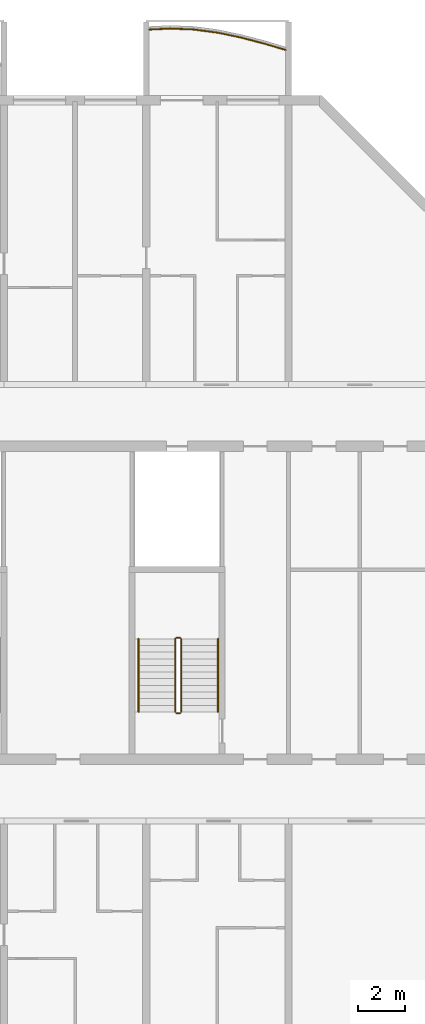
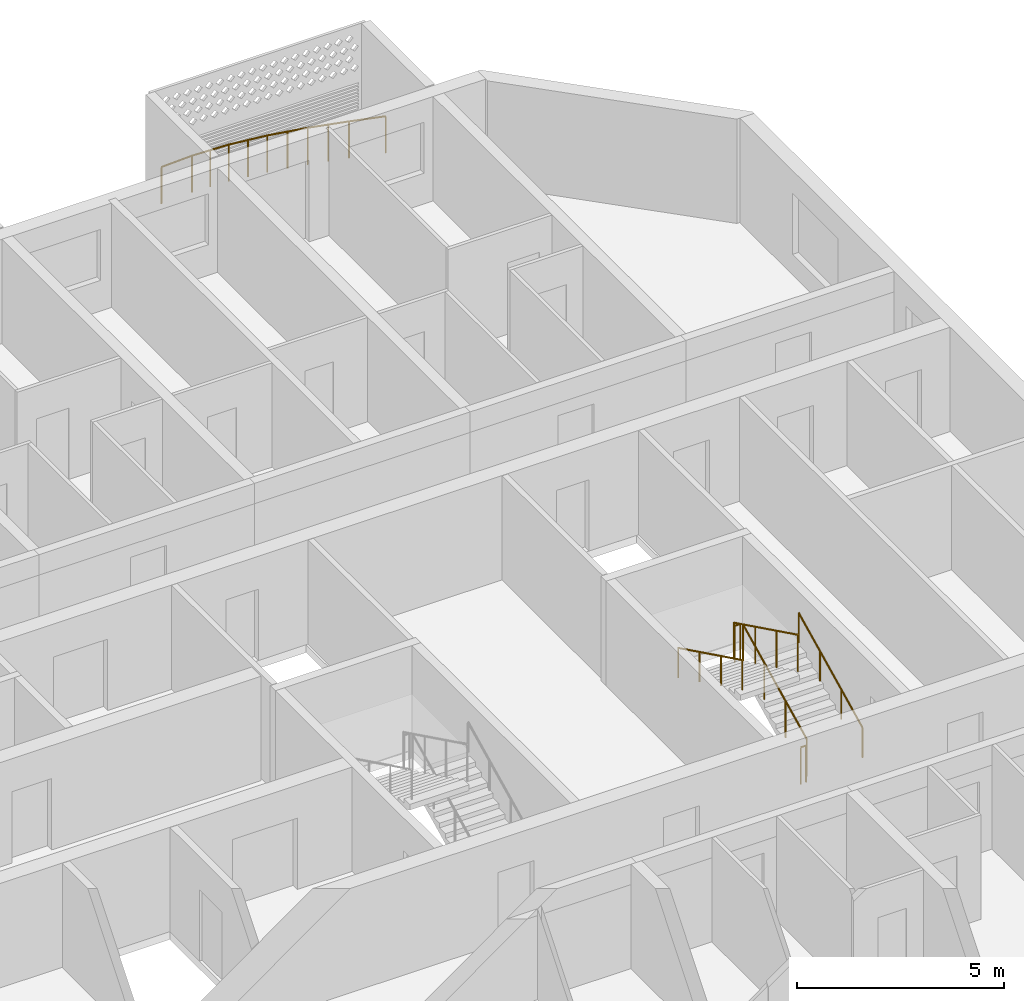
# One storey, part 31 of 32: 7 railings.
"""IFC4 building model written with IfcOpenShell, lengths in metres."""

from ifc_helpers import new_model, si_unit, direction, frame, origin, origin_2d, place, context, subcontext, project, spatial, circle, extrude, material, type_object, element, save


model = new_model("IFC4")

# Units and contexts
model_context = context("Model", 3, precision=1e-05, world=origin(), true_north=direction((0.0, 1.0)))
body_context = subcontext(model_context, "Body", "Model", "MODEL_VIEW")
ifc_project = project(units=[si_unit("LENGTHUNIT", "METRE"), si_unit("AREAUNIT", "SQUARE_METRE"), si_unit("VOLUMEUNIT", "CUBIC_METRE"), si_unit("PLANEANGLEUNIT", "RADIAN"), si_unit("MASSUNIT", "GRAM", prefix="KILO")], contexts=[model_context])

# Site, building, storey
site_placement = place(None, origin())
site = spatial("IfcSite", under=ifc_project, at=site_placement, CompositionType="ELEMENT")
building_placement = place(site_placement, origin())
building = spatial("IfcBuilding", under=site, at=building_placement, Name="Poui Terraces", CompositionType="ELEMENT")
storey_placement = place(building_placement, frame((0.0, 0.0, 125.699951171875)))
storey = spatial("IfcBuildingStorey", under=building, at=storey_placement, Name="L34", CompositionType="ELEMENT", Elevation=125.699951171875)

# Railings
ifc_material_1 = material(Name="Painted steel fretwork", Category="steel")
railing_type_1 = type_object("IfcRailingType", Name="BALCONY GUARD 1100", PredefinedType="GUARDRAIL", material=ifc_material_1)
railing_1_placement = place(storey_placement, frame((78.125, 45.376220703125, 0.0)))
element("IfcRailing", 1, at=railing_1_placement, inside=storey, type_object=railing_type_1, Name="BALCONY GUARD", PredefinedType="GUARDRAIL", context=body_context, shape_type="SweptSolid", body=[
    extrude(circle(Radius=0.02392578125, at=origin_2d()), frame((0.0, 0.0, 1.076171875), z_axis=(0.998768961938, 0.049604038846, 0.0), x_axis=(-0.049604038846, 0.998768961938, 0.0)), (0.0, 0.0, 1.0), 0.8759765625),
    extrude(circle(Radius=0.02392578125, at=origin_2d()), frame((0.875, 0.04345703125, 1.076171875), z_axis=(0.99920912132, -0.03976344892, 0.0), x_axis=(0.03976344892, 0.99920912132, 0.0)), (0.0, 0.0, 1.0), 1.000732421875),
    extrude(circle(Radius=0.02392578125, at=origin_2d()), frame((1.875, 0.003662109375, 1.076171875), z_axis=(0.991546329967, -0.129753133023, 0.0), x_axis=(0.129753133023, 0.991546329967, 0.0)), (0.0, 0.0, 1.0), 1.008544921875),
    extrude(circle(Radius=0.02392578125, at=origin_2d()), frame((2.875, -0.127197265625, 1.076171875), z_axis=(0.978996324432, -0.203877896665, 0.0), x_axis=(0.203877896665, 0.978996324432, 0.0)), (0.0, 0.0, 1.0), 1.021484375),
    extrude(circle(Radius=0.02392578125, at=origin_2d()), frame((3.875, -0.33544921875, 1.076171875), z_axis=(0.966718963822, -0.255840663277, 0.0), x_axis=(0.255840663277, 0.966718963822, 0.0)), (0.0, 0.0, 1.0), 1.034423828125),
    extrude(circle(Radius=0.02392578125, at=origin_2d()), frame((4.875, -0.60009765625, 1.076171875), z_axis=(0.959663427085, -0.281151394654, 0.0), x_axis=(0.281151394654, 0.959663427085, 0.0)), (0.0, 0.0, 1.0), 0.911865234375),
    extrude(circle(Radius=0.02099609375, at=origin_2d()), origin(), (0.0, 0.0, 1.0), 1.052001953125),
    extrude(circle(Radius=0.02099609375, at=origin_2d()), frame((0.875, 0.04345703125, 0.0)), (0.0, 0.0, 1.0), 1.052001953125),
    extrude(circle(Radius=0.02099609375, at=origin_2d()), frame((1.375, 0.0234375, 0.0)), (0.0, 0.0, 1.0), 1.052001953125),
    extrude(circle(Radius=0.02099609375, at=origin_2d()), frame((1.875, 0.003662109375, 0.0)), (0.0, 0.0, 1.0), 1.052001953125),
    extrude(circle(Radius=0.02099609375, at=origin_2d()), frame((2.375, -0.061767578125, 0.0)), (0.0, 0.0, 1.0), 1.052001953125),
    extrude(circle(Radius=0.02099609375, at=origin_2d()), frame((2.875, -0.127197265625, 0.0)), (0.0, 0.0, 1.0), 1.052001953125),
    extrude(circle(Radius=0.02099609375, at=origin_2d()), frame((3.375, -0.2314453125, 0.0)), (0.0, 0.0, 1.0), 1.052001953125),
    extrude(circle(Radius=0.02099609375, at=origin_2d()), frame((3.875, -0.33544921875, 0.0)), (0.0, 0.0, 1.0), 1.052001953125),
    extrude(circle(Radius=0.02099609375, at=origin_2d()), frame((4.375, -0.4677734375, 0.0)), (0.0, 0.0, 1.0), 1.052001953125),
    extrude(circle(Radius=0.02099609375, at=origin_2d()), frame((4.875, -0.60009765625, 0.0)), (0.0, 0.0, 1.0), 1.052001953125),
    extrude(circle(Radius=0.02099609375, at=origin_2d()), frame((5.75, -0.8564453125, 0.0)), (0.0, 0.0, 1.0), 1.052001953125),
])
ifc_material_2 = material(Name="Galvanised steel balustrade", Category="steel")
railing_type_2 = type_object("IfcRailingType", Name="STAIR GUARD 1100", PredefinedType="GUARDRAIL", material=ifc_material_2)
railing_2_placement = place(storey_placement, frame((79.47509765625, 16.60009765625, 0.137451171875)))
element("IfcRailing", 2, at=railing_2_placement, inside=storey, type_object=railing_type_2, Name="L34 ST-E stair guard 1", PredefinedType="GUARDRAIL", context=body_context, shape_type="SweptSolid", body=[
    extrude(circle(Radius=0.02392578125, at=origin_2d()), frame((0.0, 0.0, 1.076171875), z_axis=(0.0, 0.897578036475, 0.440855609512), x_axis=(-1.0, 0.0, 0.0)), (0.0, 0.0, 1.0), 3.43115234375),
    extrude(circle(Radius=0.02099609375, at=origin_2d()), origin(), (0.0, 0.0, 1.0), 1.052001953125),
    extrude(circle(Radius=0.02099609375, at=origin_2d()), frame((0.0, 1.026611328125, 0.504150390625)), (0.0, 0.0, 1.0), 1.052001953125),
    extrude(circle(Radius=0.02099609375, at=origin_2d()), frame((0.0, 2.05322265625, 1.008544921875)), (0.0, 0.0, 1.0), 1.052001953125),
    extrude(circle(Radius=0.02099609375, at=origin_2d()), frame((0.0, 3.079833984375, 1.5126953125)), (0.0, 0.0, 1.0), 1.052001953125),
])
railing_3_placement = place(storey_placement, frame((79.425048828125, 19.72998046875, 1.650146484375)))
element("IfcRailing", 3, at=railing_3_placement, inside=storey, type_object=railing_type_2, Name="L34 ST-E stair guard 2", PredefinedType="GUARDRAIL", context=body_context, shape_type="SweptSolid", body=[
    extrude(circle(Radius=0.02392578125, at=origin_2d()), frame((0.0, 0.0, 1.076171875), z_axis=(-1.0, 0.0, 0.0), x_axis=(0.0, -1.0, 0.0)), (0.0, 0.0, 1.0), 0.150146484375),
    extrude(circle(Radius=0.02099609375, at=origin_2d()), origin(), (0.0, 0.0, 1.0), 1.052001953125),
    extrude(circle(Radius=0.02099609375, at=origin_2d()), frame((-0.150146484375, 0.0, 0.0)), (0.0, 0.0, 1.0), 1.052001953125),
])
railing_4_placement = place(storey_placement, frame((79.22509765625, 19.679931640625, 1.78759765625)))
element("IfcRailing", 4, at=railing_4_placement, inside=storey, type_object=railing_type_2, Name="L34 ST-E stair guard 3", PredefinedType="GUARDRAIL", context=body_context, shape_type="SweptSolid", body=[
    extrude(circle(Radius=0.02392578125, at=origin_2d()), frame((0.0, 0.0, 1.076171875), z_axis=(0.0, -0.897606190399, 0.440798283751), x_axis=(1.0, 0.0, 0.0)), (0.0, 0.0, 1.0), 3.43115234375),
    extrude(circle(Radius=0.02099609375, at=origin_2d()), origin(), (0.0, 0.0, 1.0), 1.052001953125),
    extrude(circle(Radius=0.02099609375, at=origin_2d()), frame((0.0, -1.026611328125, 0.504150390625)), (0.0, 0.0, 1.0), 1.052001953125),
    extrude(circle(Radius=0.02099609375, at=origin_2d()), frame((0.0, -2.05322265625, 1.00830078125)), (0.0, 0.0, 1.0), 1.052001953125),
    extrude(circle(Radius=0.02099609375, at=origin_2d()), frame((0.0, -3.079833984375, 1.512451171875)), (0.0, 0.0, 1.0), 1.052001953125),
])
railing_5_placement = place(storey_placement, frame((79.425048828125, 16.550048828125, 0.0)))
element("IfcRailing", 5, at=railing_5_placement, inside=storey, type_object=railing_type_2, Name="L34 ST-E stair guard 4", PredefinedType="GUARDRAIL", context=body_context, shape_type="SweptSolid", body=[
    extrude(circle(Radius=0.02392578125, at=origin_2d()), frame((0.0, 0.0, 1.076171875), z_axis=(-1.0, 0.0, 0.0), x_axis=(0.0, -1.0, 0.0)), (0.0, 0.0, 1.0), 0.150146484375),
    extrude(circle(Radius=0.02099609375, at=origin_2d()), origin(), (0.0, 0.0, 1.0), 1.052001953125),
    extrude(circle(Radius=0.02099609375, at=origin_2d()), frame((-0.150146484375, 0.0, 0.0)), (0.0, 0.0, 1.0), 1.052001953125),
])
ifc_material_3 = material(Name="Stainless steel handrail", Category="steel")
railing_type_3 = type_object("IfcRailingType", Name="STAIR HANDRAIL 900", PredefinedType="HANDRAIL", material=ifc_material_3)
railing_6_placement = place(storey_placement, frame((81.02490234375, 16.60009765625, 0.137451171875)))
element("IfcRailing", 6, at=railing_6_placement, inside=storey, type_object=railing_type_3, Name="L34 ST-E stair handrail 1", PredefinedType="HANDRAIL", context=body_context, shape_type="SweptSolid", body=[
    extrude(circle(Radius=0.02392578125, at=origin_2d()), frame((0.0, 0.0, 0.8759765625), z_axis=(0.0, 0.897578036475, 0.440855609512), x_axis=(-1.0, 0.0, 0.0)), (0.0, 0.0, 1.0), 3.43115234375),
    extrude(circle(Radius=0.02099609375, at=origin_2d()), origin(), (0.0, 0.0, 1.0), 0.851806640625),
    extrude(circle(Radius=0.02099609375, at=origin_2d()), frame((0.0, 1.026611328125, 0.504150390625)), (0.0, 0.0, 1.0), 0.851806640625),
    extrude(circle(Radius=0.02099609375, at=origin_2d()), frame((0.0, 2.05322265625, 1.008544921875)), (0.0, 0.0, 1.0), 0.851806640625),
    extrude(circle(Radius=0.02099609375, at=origin_2d()), frame((0.0, 3.079833984375, 1.5126953125)), (0.0, 0.0, 1.0), 0.851806640625),
])
railing_7_placement = place(storey_placement, frame((77.675048828125, 19.679931640625, 1.78759765625)))
element("IfcRailing", 7, at=railing_7_placement, inside=storey, type_object=railing_type_3, Name="L34 ST-E stair handrail 2", PredefinedType="HANDRAIL", context=body_context, shape_type="SweptSolid", body=[
    extrude(circle(Radius=0.02392578125, at=origin_2d()), frame((0.0, 0.0, 0.8759765625), z_axis=(0.0, -0.897606190399, 0.440798283751), x_axis=(1.0, 0.0, 0.0)), (0.0, 0.0, 1.0), 3.43115234375),
    extrude(circle(Radius=0.02099609375, at=origin_2d()), origin(), (0.0, 0.0, 1.0), 0.851806640625),
    extrude(circle(Radius=0.02099609375, at=origin_2d()), frame((0.0, -1.026611328125, 0.504150390625)), (0.0, 0.0, 1.0), 0.851806640625),
    extrude(circle(Radius=0.02099609375, at=origin_2d()), frame((0.0, -2.05322265625, 1.00830078125)), (0.0, 0.0, 1.0), 0.851806640625),
    extrude(circle(Radius=0.02099609375, at=origin_2d()), frame((0.0, -3.079833984375, 1.512451171875)), (0.0, 0.0, 1.0), 0.851806640625),
])

save(model, "model.ifc")
